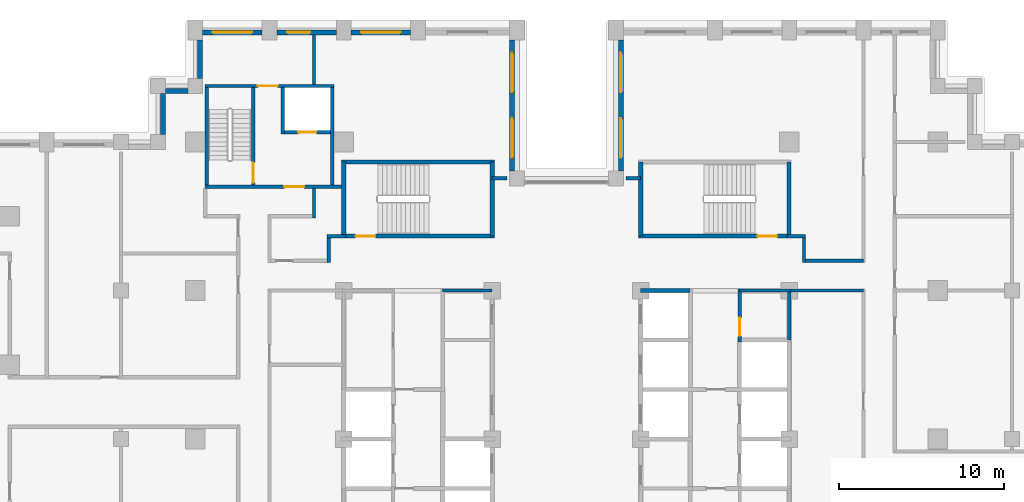
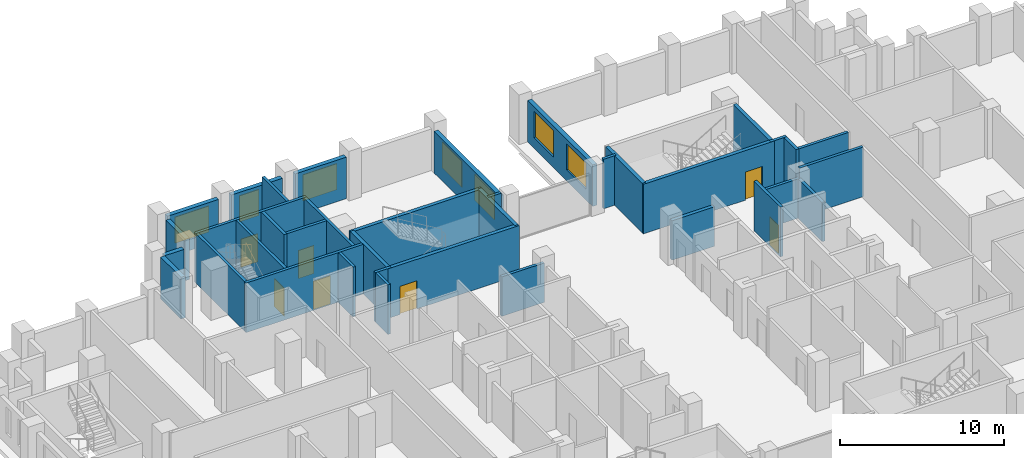
# One storey, part 10 of 15: 37 walls, 7 doors, 7 windows, 14 openings.
"""IFC4 building model written with IfcOpenShell, lengths in metres."""

from ifc_helpers import new_model, si_unit, direction, frame, frame_2d, origin, place, context, subcontext, project, spatial, rectangle, extrude, material, layer, layer_set, type_object, element, fill, save


model = new_model("IFC4")

# Units and contexts
model_context = context("Model", 3, precision=1e-05, world=origin(), true_north=direction((0.0, 1.0)))
body_context = subcontext(model_context, "Body", "Model", "MODEL_VIEW")
ifc_project = project(units=[si_unit("LENGTHUNIT", "METRE"), si_unit("AREAUNIT", "SQUARE_METRE"), si_unit("VOLUMEUNIT", "CUBIC_METRE"), si_unit("PLANEANGLEUNIT", "RADIAN"), si_unit("MASSUNIT", "GRAM", prefix="KILO")], contexts=[model_context])

# Site, building, storey
site_placement = place(None, origin())
site = spatial("IfcSite", under=ifc_project, at=site_placement, CompositionType="ELEMENT")
building_placement = place(site_placement, origin())
building = spatial("IfcBuilding", under=site, at=building_placement, Name="Corbelhall Arena Tower", CompositionType="ELEMENT")
storey_placement = place(building_placement, frame((0.0, 0.0, 100.0)))
storey = spatial("IfcBuildingStorey", under=building, at=storey_placement, Name="L17", CompositionType="ELEMENT", Elevation=100.0)

# Walls
ifc_material_1 = material(Name="Precast concrete C40/50 with granite facing", Category="masonry")
ifc_layer_1 = layer(ifc_material_1, 0.300048828125)
ifc_layer_set_1 = layer_set([ifc_layer_1], Name="EV-IW1 Infill panel 300")
wall_type_1 = type_object("IfcWallType", Name="EV-IW1 Infill panel 300", PredefinedType="SOLIDWALL", material=ifc_layer_set_1)
wall_1_placement = place(storey_placement, frame((-22.199951171875, 24.199951171875, 0.0), z_axis=(0.0, 0.0, 1.0), x_axis=(0.0, -1.0, 0.0)))
element("IfcWall", 1, at=wall_1_placement, inside=storey, type_object=wall_type_1, Name="Infill panel IW1", PredefinedType="SOLIDWALL", context=body_context, shape_type="SweptSolid", body=[
    extrude(rectangle(XDim=2.349853515625, YDim=0.300048828125, at=frame_2d((1.1748046875, 0.0))), origin(), (0.0, 0.0, 1.0), 3.10009765625),
])
wall_2_placement = place(storey_placement, frame((-22.949951171875, 21.10009765625, 0.0), z_axis=(0.0, 0.0, 1.0), x_axis=(-1.0, 0.0, 0.0)))
element("IfcWall", 2, at=wall_2_placement, inside=storey, type_object=wall_type_1, Name="Infill panel IW1", PredefinedType="SOLIDWALL", context=body_context, shape_type="SweptSolid", body=[
    extrude(rectangle(XDim=1.35009765625, YDim=0.300048828125, at=frame_2d((0.675048828125, 0.0))), origin(), (0.0, 0.0, 1.0), 3.10009765625),
])
wall_3_placement = place(storey_placement, frame((-24.449951171875, 20.949951171875, 0.0), z_axis=(0.0, 0.0, 1.0), x_axis=(0.0, -1.0, 0.0)))
element("IfcWall", 3, at=wall_3_placement, inside=storey, type_object=wall_type_1, Name="Infill panel IW1", PredefinedType="SOLIDWALL", context=body_context, shape_type="SweptSolid", body=[
    extrude(rectangle(XDim=2.5, YDim=0.300048828125, at=frame_2d((1.25, 0.0))), origin(), (0.0, 0.0, 1.0), 3.10009765625),
])

# Wall, openings, windows
wall_4_placement = place(storey_placement, frame((3.300048828125, 24.199951171875, 0.0), z_axis=(0.0, 0.0, 1.0), x_axis=(0.0, -1.0, 0.0)))
wall_4 = element("IfcWall", 4, at=wall_4_placement, inside=storey, type_object=wall_type_1, Name="Infill panel IW1", PredefinedType="SOLIDWALL", context=body_context, shape_type="SweptSolid", body=[
    extrude(rectangle(XDim=7.949951171875, YDim=0.300048828125, at=frame_2d((3.97509765625, 0.0))), origin(), (0.0, 0.0, 1.0), 3.10009765625),
])
opening_1_placement = place(wall_4_placement, frame((0.78759765625, 0.0, 0.800048828125)))
opening_1 = element("IfcOpeningElement", 5, at=opening_1_placement, cuts=wall_4, Name="Opening WN1", PredefinedType="OPENING", context=body_context, shape_type="SweptSolid", body=[
    extrude(rectangle(XDim=2.39990234375, YDim=1.949951171875, at=frame_2d((1.199951171875, 0.97509765625))), frame((0.0, 0.14990234375, 0.0), z_axis=(0.0, -1.0, 0.0), x_axis=(1.0, 0.0, 0.0)), (0.0, 0.0, 1.0), 0.300048828125),
])
opening_2_placement = place(wall_4_placement, frame((4.762451171875, 0.0, 0.800048828125)))
opening_2 = element("IfcOpeningElement", 6, at=opening_2_placement, cuts=wall_4, Name="Opening WN1", PredefinedType="OPENING", context=body_context, shape_type="SweptSolid", body=[
    extrude(rectangle(XDim=2.39990234375, YDim=1.949951171875, at=frame_2d((1.199951171875, 0.97509765625))), frame((0.0, 0.14990234375, 0.0), z_axis=(0.0, -1.0, 0.0), x_axis=(1.0, 0.0, 0.0)), (0.0, 0.0, 1.0), 0.300048828125),
])
ifc_material_2 = material(Name="Aluminium black anodised", Category="aluminium")
window_type_1 = type_object("IfcWindowType", Name="EV-WN1 Office window", PartitioningType="SINGLE_PANEL", PredefinedType="WINDOW", material=ifc_material_2)
window_1_placement = place(opening_1_placement, origin())
window_1 = element("IfcWindow", 7, at=window_1_placement, inside=storey, type_object=window_type_1, Name="Window WN1", OverallHeight=1.949951171875, OverallWidth=2.39990234375, PartitioningType="SINGLE_PANEL", PredefinedType="WINDOW", context=body_context, shape_type="SweptSolid", body=[
    extrude(rectangle(XDim=2.39990234375, YDim=1.949951171875, at=frame_2d((1.199951171875, 0.97509765625))), frame((0.0, 0.030029296875, 0.0), z_axis=(0.0, -1.0, 0.0), x_axis=(1.0, 0.0, 0.0)), (0.0, 0.0, 1.0), 0.06005859375),
])
fill(opening_1, window_1)
window_2_placement = place(opening_2_placement, origin())
window_2 = element("IfcWindow", 8, at=window_2_placement, inside=storey, type_object=window_type_1, Name="Window WN1", OverallHeight=1.949951171875, OverallWidth=2.39990234375, PartitioningType="SINGLE_PANEL", PredefinedType="WINDOW", context=body_context, shape_type="SweptSolid", body=[
    extrude(rectangle(XDim=2.39990234375, YDim=1.949951171875, at=frame_2d((1.199951171875, 0.97509765625))), frame((0.0, 0.030029296875, 0.0), z_axis=(0.0, -1.0, 0.0), x_axis=(1.0, 0.0, 0.0)), (0.0, 0.0, 1.0), 0.06005859375),
])
fill(opening_2, window_2)

wall_5_placement = place(storey_placement, frame((-3.300048828125, 16.25, 0.0), z_axis=(0.0, 0.0, 1.0), x_axis=(0.0, 1.0, 0.0)))
wall_5 = element("IfcWall", 9, at=wall_5_placement, inside=storey, type_object=wall_type_1, Name="Infill panel IW1", PredefinedType="SOLIDWALL", context=body_context, shape_type="SweptSolid", body=[
    extrude(rectangle(XDim=7.949951171875, YDim=0.300048828125, at=frame_2d((3.97509765625, 0.0))), origin(), (0.0, 0.0, 1.0), 3.10009765625),
])
opening_3_placement = place(wall_5_placement, frame((0.78759765625, 0.0, 0.800048828125)))
opening_3 = element("IfcOpeningElement", 10, at=opening_3_placement, cuts=wall_5, Name="Opening WN1", PredefinedType="OPENING", context=body_context, shape_type="SweptSolid", body=[
    extrude(rectangle(XDim=2.39990234375, YDim=1.949951171875, at=frame_2d((1.199951171875, 0.97509765625))), frame((0.0, 0.14990234375, 0.0), z_axis=(0.0, -1.0, 0.0), x_axis=(1.0, 0.0, 0.0)), (0.0, 0.0, 1.0), 0.300048828125),
])
opening_4_placement = place(wall_5_placement, frame((4.762451171875, 0.0, 0.800048828125)))
opening_4 = element("IfcOpeningElement", 11, at=opening_4_placement, cuts=wall_5, Name="Opening WN1", PredefinedType="OPENING", context=body_context, shape_type="SweptSolid", body=[
    extrude(rectangle(XDim=2.39990234375, YDim=1.949951171875, at=frame_2d((1.199951171875, 0.97509765625))), frame((0.0, 0.14990234375, 0.0), z_axis=(0.0, -1.0, 0.0), x_axis=(1.0, 0.0, 0.0)), (0.0, 0.0, 1.0), 0.300048828125),
])
window_3_placement = place(opening_3_placement, origin())
window_3 = element("IfcWindow", 12, at=window_3_placement, inside=storey, type_object=window_type_1, Name="Window WN1", OverallHeight=1.949951171875, OverallWidth=2.39990234375, PartitioningType="SINGLE_PANEL", PredefinedType="WINDOW", context=body_context, shape_type="SweptSolid", body=[
    extrude(rectangle(XDim=2.39990234375, YDim=1.949951171875, at=frame_2d((1.199951171875, 0.97509765625))), frame((0.0, 0.030029296875, 0.0), z_axis=(0.0, -1.0, 0.0), x_axis=(1.0, 0.0, 0.0)), (0.0, 0.0, 1.0), 0.06005859375),
])
fill(opening_3, window_3)
window_4_placement = place(opening_4_placement, origin())
window_4 = element("IfcWindow", 13, at=window_4_placement, inside=storey, type_object=window_type_1, Name="Window WN1", OverallHeight=1.949951171875, OverallWidth=2.39990234375, PartitioningType="SINGLE_PANEL", PredefinedType="WINDOW", context=body_context, shape_type="SweptSolid", body=[
    extrude(rectangle(XDim=2.39990234375, YDim=1.949951171875, at=frame_2d((1.199951171875, 0.97509765625))), frame((0.0, 0.030029296875, 0.0), z_axis=(0.0, -1.0, 0.0), x_axis=(1.0, 0.0, 0.0)), (0.0, 0.0, 1.0), 0.06005859375),
])
fill(opening_4, window_4)

# Wall, opening, window
wall_6_placement = place(storey_placement, frame((-9.449951171875, 24.64990234375, 0.0), z_axis=(0.0, 0.0, 1.0), x_axis=(-1.0, 0.0, 0.0)))
wall_6 = element("IfcWall", 14, at=wall_6_placement, inside=storey, type_object=wall_type_1, Name="Infill panel IW1", PredefinedType="SOLIDWALL", context=body_context, shape_type="SweptSolid", body=[
    extrude(rectangle(XDim=3.60009765625, YDim=0.300048828125, at=frame_2d((1.800048828125, 0.0))), origin(), (0.0, 0.0, 1.0), 3.10009765625),
])
opening_5_placement = place(wall_6_placement, frame((0.60009765625, 0.0, 0.800048828125)))
opening_5 = element("IfcOpeningElement", 15, at=opening_5_placement, cuts=wall_6, Name="Opening WN1", PredefinedType="OPENING", context=body_context, shape_type="SweptSolid", body=[
    extrude(rectangle(XDim=2.39990234375, YDim=1.949951171875, at=frame_2d((1.199951171875, 0.97509765625))), frame((0.0, 0.14990234375, 0.0), z_axis=(0.0, -1.0, 0.0), x_axis=(1.0, 0.0, 0.0)), (0.0, 0.0, 1.0), 0.300048828125),
])
window_5_placement = place(opening_5_placement, origin())
window_5 = element("IfcWindow", 16, at=window_5_placement, inside=storey, type_object=window_type_1, Name="Window WN1", OverallHeight=1.949951171875, OverallWidth=2.39990234375, PartitioningType="SINGLE_PANEL", PredefinedType="WINDOW", context=body_context, shape_type="SweptSolid", body=[
    extrude(rectangle(XDim=2.39990234375, YDim=1.949951171875, at=frame_2d((1.199951171875, 0.97509765625))), frame((0.0, 0.030029296875, 0.0), z_axis=(0.0, -1.0, 0.0), x_axis=(1.0, 0.0, 0.0)), (0.0, 0.0, 1.0), 0.06005859375),
])
fill(opening_5, window_5)

wall_7_placement = place(storey_placement, frame((-13.949951171875, 24.64990234375, 0.0), z_axis=(0.0, 0.0, 1.0), x_axis=(-1.0, 0.0, 0.0)))
wall_7 = element("IfcWall", 17, at=wall_7_placement, inside=storey, type_object=wall_type_1, Name="Infill panel IW1", PredefinedType="SOLIDWALL", context=body_context, shape_type="SweptSolid", body=[
    extrude(rectangle(XDim=3.60009765625, YDim=0.300048828125, at=frame_2d((1.800048828125, 0.0))), origin(), (0.0, 0.0, 1.0), 3.10009765625),
])
opening_6_placement = place(wall_7_placement, frame((1.574951171875, 0.0, 0.800048828125)))
opening_6 = element("IfcOpeningElement", 18, at=opening_6_placement, cuts=wall_7, Name="Opening WN7", PredefinedType="OPENING", context=body_context, shape_type="SweptSolid", body=[
    extrude(rectangle(XDim=1.39990234375, YDim=1.949951171875, at=frame_2d((0.699951171875, 0.97509765625))), frame((0.0, 0.14990234375, 0.0), z_axis=(0.0, -1.0, 0.0), x_axis=(1.0, 0.0, 0.0)), (0.0, 0.0, 1.0), 0.300048828125),
])
window_type_2 = type_object("IfcWindowType", Name="EV-WN7 Office window 1400", PartitioningType="SINGLE_PANEL", PredefinedType="WINDOW", material=ifc_material_2)
window_6_placement = place(opening_6_placement, origin())
window_6 = element("IfcWindow", 19, at=window_6_placement, inside=storey, type_object=window_type_2, Name="Window WN7", OverallHeight=1.949951171875, OverallWidth=1.39990234375, PartitioningType="SINGLE_PANEL", PredefinedType="WINDOW", context=body_context, shape_type="SweptSolid", body=[
    extrude(rectangle(XDim=1.39990234375, YDim=1.949951171875, at=frame_2d((0.699951171875, 0.97509765625))), frame((0.0, 0.030029296875, 0.0), z_axis=(0.0, -1.0, 0.0), x_axis=(1.0, 0.0, 0.0)), (0.0, 0.0, 1.0), 0.06005859375),
])
fill(opening_6, window_6)

wall_8_placement = place(storey_placement, frame((-18.449951171875, 24.64990234375, 0.0), z_axis=(0.0, 0.0, 1.0), x_axis=(-1.0, 0.0, 0.0)))
wall_8 = element("IfcWall", 20, at=wall_8_placement, inside=storey, type_object=wall_type_1, Name="Infill panel IW1", PredefinedType="SOLIDWALL", context=body_context, shape_type="SweptSolid", body=[
    extrude(rectangle(XDim=3.60009765625, YDim=0.300048828125, at=frame_2d((1.800048828125, 0.0))), origin(), (0.0, 0.0, 1.0), 3.10009765625),
])
opening_7_placement = place(wall_8_placement, frame((0.60009765625, 0.0, 0.800048828125)))
opening_7 = element("IfcOpeningElement", 21, at=opening_7_placement, cuts=wall_8, Name="Opening WN1", PredefinedType="OPENING", context=body_context, shape_type="SweptSolid", body=[
    extrude(rectangle(XDim=2.39990234375, YDim=1.949951171875, at=frame_2d((1.199951171875, 0.97509765625))), frame((0.0, 0.14990234375, 0.0), z_axis=(0.0, -1.0, 0.0), x_axis=(1.0, 0.0, 0.0)), (0.0, 0.0, 1.0), 0.300048828125),
])
window_7_placement = place(opening_7_placement, origin())
window_7 = element("IfcWindow", 22, at=window_7_placement, inside=storey, type_object=window_type_1, Name="Window WN1", OverallHeight=1.949951171875, OverallWidth=2.39990234375, PartitioningType="SINGLE_PANEL", PredefinedType="WINDOW", context=body_context, shape_type="SweptSolid", body=[
    extrude(rectangle(XDim=2.39990234375, YDim=1.949951171875, at=frame_2d((1.199951171875, 0.97509765625))), frame((0.0, 0.030029296875, 0.0), z_axis=(0.0, -1.0, 0.0), x_axis=(1.0, 0.0, 0.0)), (0.0, 0.0, 1.0), 0.06005859375),
])
fill(opening_7, window_7)

# Walls
ifc_material_3 = material(Name="Gypsum board on steel stud, acoustic", Category="steel")
ifc_layer_2 = layer(ifc_material_3, 0.199951171875)
ifc_layer_set_2 = layer_set([ifc_layer_2], Name="IN-W-DM200")
wall_type_2 = type_object("IfcWallType", Name="IN-W-DM200", PredefinedType="PARTITIONING", material=ifc_layer_set_2)
wall_9_placement = place(storey_placement, frame((-15.300048828125, 15.199951171875, 0.0), z_axis=(0.0, 0.0, 1.0), x_axis=(0.0, -1.0, 0.0)))
element("IfcWall", 23, at=wall_9_placement, inside=storey, type_object=wall_type_2, Name="Partition 024", PredefinedType="PARTITIONING", context=body_context, shape_type="SweptSolid", body=[
    extrude(rectangle(XDim=1.800048828125, YDim=0.199951171875, at=frame_2d((0.89990234375, 0.0))), origin(), (0.0, 0.0, 1.0), 3.699951171875),
])
wall_10_placement = place(storey_placement, frame((-15.300048828125, 24.5, 0.0), z_axis=(0.0, 0.0, 1.0), x_axis=(0.0, -1.0, 0.0)))
element("IfcWall", 24, at=wall_10_placement, inside=storey, type_object=wall_type_2, Name="Partition 025", PredefinedType="PARTITIONING", context=body_context, shape_type="SweptSolid", body=[
    extrude(rectangle(XDim=3.0, YDim=0.199951171875, at=frame_2d((1.5, 0.0))), origin(), (0.0, 0.0, 1.0), 3.699951171875),
])
wall_11_placement = place(storey_placement, frame((-14.5, 12.300048828125, 0.0), z_axis=(0.0, 0.0, 1.0), x_axis=(1.0, 0.0, 0.0)))
element("IfcWall", 25, at=wall_11_placement, inside=storey, type_object=wall_type_2, Name="Partition 026", PredefinedType="PARTITIONING", context=body_context, shape_type="SweptSolid", body=[
    extrude(rectangle(XDim=1.125, YDim=0.199951171875, at=frame_2d((0.5625, 0.0))), origin(), (0.0, 0.0, 1.0), 3.699951171875),
])
wall_12_placement = place(storey_placement, frame((-14.39990234375, 10.699951171875, 0.0), z_axis=(0.0, 0.0, 1.0), x_axis=(0.0, 1.0, 0.0)))
element("IfcWall", 26, at=wall_12_placement, inside=storey, type_object=wall_type_2, Name="Partition 030", PredefinedType="PARTITIONING", context=body_context, shape_type="SweptSolid", body=[
    extrude(rectangle(XDim=1.60009765625, YDim=0.199951171875, at=frame_2d((0.800048828125, 0.0))), origin(), (0.0, 0.0, 1.0), 3.699951171875),
])
for number, where, z_axis, x_axis, name in (
    (27, (-4.5, 15.800048828125, 0.0), (0.0, 0.0, 1.0), (1.0, 0.0, 0.0), "Partition 032"),
    (28, (3.60009765625, 15.800048828125, 0.0), (0.0, 0.0, 1.0), (1.0, 0.0, 0.0), "Partition 034"),
):
    element("IfcWall", number, at=place(storey_placement, frame(where, z_axis=z_axis, x_axis=x_axis)), inside=storey, type_object=wall_type_2, Name=name, PredefinedType="PARTITIONING", context=body_context, shape_type="SweptSolid", body=[
        extrude(rectangle(XDim=0.89990234375, YDim=0.199951171875, at=frame_2d((0.449951171875, 0.0))), origin(), (0.0, 0.0, 1.0), 3.699951171875),
    ])
wall_13_placement = place(storey_placement, frame((13.375, 12.300048828125, 0.0), z_axis=(0.0, 0.0, 1.0), x_axis=(1.0, 0.0, 0.0)))
element("IfcWall", 29, at=wall_13_placement, inside=storey, type_object=wall_type_2, Name="Partition 036", PredefinedType="PARTITIONING", context=body_context, shape_type="SweptSolid", body=[
    extrude(rectangle(XDim=1.125, YDim=0.199951171875, at=frame_2d((0.5625, 0.0))), origin(), (0.0, 0.0, 1.0), 3.699951171875),
])
wall_14_placement = place(storey_placement, frame((18.0, 9.0, 0.0), z_axis=(0.0, 0.0, 1.0), x_axis=(-1.0, 0.0, 0.0)))
element("IfcWall", 30, at=wall_14_placement, inside=storey, type_object=wall_type_2, Name="Partition 041", PredefinedType="PARTITIONING", context=body_context, shape_type="SweptSolid", body=[
    extrude(rectangle(XDim=4.5, YDim=0.199951171875, at=frame_2d((2.25, 0.0))), origin(), (0.0, 0.0, 1.0), 3.699951171875),
])
wall_15_placement = place(storey_placement, frame((14.39990234375, 10.800048828125, 0.0), z_axis=(0.0, 0.0, 1.0), x_axis=(1.0, 0.0, 0.0)))
element("IfcWall", 31, at=wall_15_placement, inside=storey, type_object=wall_type_2, Name="Partition 042", PredefinedType="PARTITIONING", context=body_context, shape_type="SweptSolid", body=[
    extrude(rectangle(XDim=3.60009765625, YDim=0.199951171875, at=frame_2d((1.800048828125, 0.0))), origin(), (0.0, 0.0, 1.0), 3.699951171875),
])
wall_16_placement = place(storey_placement, frame((14.39990234375, 12.300048828125, 0.0), z_axis=(0.0, 0.0, 1.0), x_axis=(0.0, -1.0, 0.0)))
element("IfcWall", 32, at=wall_16_placement, inside=storey, type_object=wall_type_2, Name="Partition 043", PredefinedType="PARTITIONING", context=body_context, shape_type="SweptSolid", body=[
    extrude(rectangle(XDim=1.60009765625, YDim=0.199951171875, at=frame_2d((0.800048828125, 0.0))), origin(), (0.0, 0.0, 1.0), 3.699951171875),
])

# Wall, opening, door
ifc_material_4 = material(Name="Concrete C40/50", Category="concrete")
ifc_layer_3 = layer(ifc_material_4, 0.199951171875)
ifc_layer_set_3 = layer_set([ifc_layer_3], Name="IN-W-EAR200")
wall_type_3 = type_object("IfcWallType", Name="IN-W-EAR200", PredefinedType="SOLIDWALL", material=ifc_layer_set_3)
wall_17_placement = place(storey_placement, frame((-21.89990234375, 15.300048828125, 0.0), z_axis=(0.0, 0.0, 1.0), x_axis=(1.0, 0.0, 0.0)))
wall_17 = element("IfcWall", 33, at=wall_17_placement, inside=storey, type_object=wall_type_3, Name="Fire service turret wall south", PredefinedType="SOLIDWALL", context=body_context, shape_type="SweptSolid", body=[
    extrude(rectangle(XDim=8.27490234375, YDim=0.199951171875, at=frame_2d((4.137451171875, 0.0))), origin(), (0.0, 0.0, 1.0), 3.699951171875),
])
opening_8_placement = place(wall_17_placement, frame((4.800048828125, 0.0, 0.0)))
opening_8 = element("IfcOpeningElement", 34, at=opening_8_placement, cuts=wall_17, Name="Opening E032", PredefinedType="OPENING", context=body_context, shape_type="SweptSolid", body=[
    extrude(rectangle(XDim=1.199951171875, YDim=2.10009765625, at=frame_2d((0.60009765625, 1.050048828125))), frame((0.0, 0.10009765625, 0.0), z_axis=(0.0, -1.0, 0.0), x_axis=(1.0, 0.0, 0.0)), (0.0, 0.0, 1.0), 0.199951171875),
])
ifc_material_5 = material(Name="Steel door set", Category="steel")
door_type_1 = type_object("IfcDoorType", Name="IN-D-ST120", OperationType="NOTDEFINED", PredefinedType="DOOR", material=ifc_material_5)
door_1_placement = place(opening_8_placement, origin())
door_1 = element("IfcDoor", 35, at=door_1_placement, inside=storey, type_object=door_type_1, Name="Door from fire service lift lobby to circulation", OperationType="SINGLE_SWING_RIGHT", OverallHeight=2.10009765625, OverallWidth=1.199951171875, PredefinedType="DOOR", context=body_context, shape_type="SweptSolid", body=[
    extrude(rectangle(XDim=1.199951171875, YDim=2.10009765625, at=frame_2d((0.60009765625, 1.050048828125))), frame((0.0, 0.02490234375, 0.0), z_axis=(0.0, -1.0, 0.0), x_axis=(1.0, 0.0, 0.0)), (0.0, 0.0, 1.0), 0.050048828125),
])
fill(opening_8, door_1)

wall_18_placement = place(storey_placement, frame((-21.89990234375, 21.39990234375, 0.0), z_axis=(0.0, 0.0, 1.0), x_axis=(1.0, 0.0, 0.0)))
wall_18 = element("IfcWall", 36, at=wall_18_placement, inside=storey, type_object=wall_type_3, Name="Fire service turret wall north", PredefinedType="SOLIDWALL", context=body_context, shape_type="SweptSolid", body=[
    extrude(rectangle(XDim=7.7998046875, YDim=0.199951171875, at=frame_2d((3.89990234375, 0.0))), origin(), (0.0, 0.0, 1.0), 3.699951171875),
])
opening_9_placement = place(wall_18_placement, frame((3.199951171875, 0.0, 0.0)))
opening_9 = element("IfcOpeningElement", 37, at=opening_9_placement, cuts=wall_18, Name="Opening E033", PredefinedType="OPENING", context=body_context, shape_type="SweptSolid", body=[
    extrude(rectangle(XDim=1.199951171875, YDim=2.10009765625, at=frame_2d((0.60009765625, 1.050048828125))), frame((0.0, 0.10009765625, 0.0), z_axis=(0.0, -1.0, 0.0), x_axis=(1.0, 0.0, 0.0)), (0.0, 0.0, 1.0), 0.199951171875),
])
door_2_placement = place(opening_9_placement, origin())
door_2 = element("IfcDoor", 38, at=door_2_placement, inside=storey, type_object=door_type_1, Name="Door from fire service lift lobby to the north gallery", OperationType="SINGLE_SWING_LEFT", OverallHeight=2.10009765625, OverallWidth=1.199951171875, PredefinedType="DOOR", context=body_context, shape_type="SweptSolid", body=[
    extrude(rectangle(XDim=1.199951171875, YDim=2.10009765625, at=frame_2d((0.60009765625, 1.050048828125))), frame((0.0, 0.02490234375, 0.0), z_axis=(0.0, -1.0, 0.0), x_axis=(1.0, 0.0, 0.0)), (0.0, 0.0, 1.0), 0.050048828125),
])
fill(opening_9, door_2)

# Walls
for number, where, z_axis, x_axis, name in (
    (39, (-21.800048828125, 15.39990234375, 0.0), (0.0, 0.0, 1.0), (0.0, 1.0, 0.0), "Fire service turret wall west"),
    (40, (-14.199951171875, 15.39990234375, 0.0), (0.0, 0.0, 1.0), (0.0, 1.0, 0.0), "Fire service turret wall east"),
):
    element("IfcWall", number, at=place(storey_placement, frame(where, z_axis=z_axis, x_axis=x_axis)), inside=storey, type_object=wall_type_3, Name=name, PredefinedType="SOLIDWALL", context=body_context, shape_type="SweptSolid", body=[
        extrude(rectangle(XDim=5.900146484375, YDim=0.199951171875, at=frame_2d((2.9501953125, 0.0))), origin(), (0.0, 0.0, 1.0), 3.699951171875),
    ])

# Wall, opening, door
wall_19_placement = place(storey_placement, frame((-18.989990234375, 15.39990234375, 0.0), z_axis=(0.0, 0.0, 1.0), x_axis=(0.0, 1.0, 0.0)))
wall_19 = element("IfcWall", 41, at=wall_19_placement, inside=storey, type_object=wall_type_3, Name="Fire service turret wall stair", PredefinedType="SOLIDWALL", context=body_context, shape_type="SweptSolid", body=[
    extrude(rectangle(XDim=5.900146484375, YDim=0.199951171875, at=frame_2d((2.9501953125, 0.0))), origin(), (0.0, 0.0, 1.0), 3.699951171875),
])
opening_10_placement = place(wall_19_placement, frame((0.14990234375, 0.0, 0.0)))
opening_10 = element("IfcOpeningElement", 42, at=opening_10_placement, cuts=wall_19, Name="Opening E031", PredefinedType="OPENING", context=body_context, shape_type="SweptSolid", body=[
    extrude(rectangle(XDim=1.199951171875, YDim=2.10009765625, at=frame_2d((0.60009765625, 1.050048828125))), frame((0.0, 0.10009765625, 0.0), z_axis=(0.0, -1.0, 0.0), x_axis=(1.0, 0.0, 0.0)), (0.0, 0.0, 1.0), 0.199951171875),
])
door_3_placement = place(opening_10_placement, origin())
door_3 = element("IfcDoor", 43, at=door_3_placement, inside=storey, type_object=door_type_1, Name="Stair door to fire service lobby", OperationType="SINGLE_SWING_LEFT", OverallHeight=2.10009765625, OverallWidth=1.199951171875, PredefinedType="DOOR", context=body_context, shape_type="SweptSolid", body=[
    extrude(rectangle(XDim=1.199951171875, YDim=2.10009765625, at=frame_2d((0.60009765625, 1.050048828125))), frame((0.0, 0.02490234375, 0.0), z_axis=(0.0, -1.0, 0.0), x_axis=(1.0, 0.0, 0.0)), (0.0, 0.0, 1.0), 0.050048828125),
])
fill(opening_10, door_3)

# Wall
wall_20_placement = place(storey_placement, frame((-17.199951171875, 18.5, 0.0), z_axis=(0.0, 0.0, 1.0), x_axis=(0.0, 1.0, 0.0)))
element("IfcWall", 44, at=wall_20_placement, inside=storey, type_object=wall_type_3, Name="Fire service turret wall hoistway west", PredefinedType="SOLIDWALL", context=body_context, shape_type="SweptSolid", body=[
    extrude(rectangle(XDim=2.800048828125, YDim=0.199951171875, at=frame_2d((1.39990234375, 0.0))), origin(), (0.0, 0.0, 1.0), 3.699951171875),
])

# Wall, opening, door
wall_21_placement = place(storey_placement, frame((-17.10009765625, 18.60009765625, 0.0), z_axis=(0.0, 0.0, 1.0), x_axis=(1.0, 0.0, 0.0)))
wall_21 = element("IfcWall", 45, at=wall_21_placement, inside=storey, type_object=wall_type_3, Name="Fire service turret wall hoistway south", PredefinedType="SOLIDWALL", context=body_context, shape_type="SweptSolid", body=[
    extrude(rectangle(XDim=2.800048828125, YDim=0.199951171875, at=frame_2d((1.39990234375, 0.0))), origin(), (0.0, 0.0, 1.0), 3.699951171875),
])
opening_11_placement = place(wall_21_placement, frame((0.85009765625, 0.0, 0.0)))
opening_11 = element("IfcOpeningElement", 46, at=opening_11_placement, cuts=wall_21, Name="Opening LD", PredefinedType="OPENING", context=body_context, shape_type="SweptSolid", body=[
    extrude(rectangle(XDim=1.10009765625, YDim=2.10009765625, at=frame_2d((0.550048828125, 1.050048828125))), frame((0.0, 0.10009765625, 0.0), z_axis=(0.0, -1.0, 0.0), x_axis=(1.0, 0.0, 0.0)), (0.0, 0.0, 1.0), 0.199951171875),
])
door_type_2 = type_object("IfcDoorType", Name="IN-D-LD110", OperationType="NOTDEFINED", PredefinedType="DOOR", material=ifc_material_5)
door_4_placement = place(opening_11_placement, origin())
door_4 = element("IfcDoor", 47, at=door_4_placement, inside=storey, type_object=door_type_2, Name="Landing door FS1", OperationType="SLIDING_TO_LEFT", OverallHeight=2.10009765625, OverallWidth=1.10009765625, PredefinedType="DOOR", context=body_context, shape_type="SweptSolid", body=[
    extrude(rectangle(XDim=1.10009765625, YDim=2.10009765625, at=frame_2d((0.550048828125, 1.050048828125))), frame((0.0, 0.02490234375, 0.0), z_axis=(0.0, -1.0, 0.0), x_axis=(1.0, 0.0, 0.0)), (0.0, 0.0, 1.0), 0.050048828125),
])
fill(opening_11, door_4)

ifc_material_6 = material(Name="Concrete block wall", Category="concrete")
ifc_layer_4 = layer(ifc_material_6, 0.199951171875)
ifc_layer_set_4 = layer_set([ifc_layer_4], Name="IN-W-RS200")
wall_type_4 = type_object("IfcWallType", Name="IN-W-RS200", PredefinedType="SOLIDWALL", material=ifc_layer_set_4)
wall_22_placement = place(storey_placement, frame((10.5, 9.10009765625, 0.0), z_axis=(0.0, 0.0, 1.0), x_axis=(0.0, -1.0, 0.0)))
wall_22 = element("IfcWall", 48, at=wall_22_placement, inside=storey, type_object=wall_type_4, Name="Partition 072", PredefinedType="SOLIDWALL", context=body_context, shape_type="SweptSolid", body=[
    extrude(rectangle(XDim=3.22509765625, YDim=0.199951171875, at=frame_2d((1.612548828125, 0.0))), origin(), (0.0, 0.0, 1.0), 3.699951171875),
])
opening_12_placement = place(wall_22_placement, frame((1.75, 0.0, 0.0)))
opening_12 = element("IfcOpeningElement", 49, at=opening_12_placement, cuts=wall_22, Name="Opening 03012", PredefinedType="OPENING", context=body_context, shape_type="SweptSolid", body=[
    extrude(rectangle(XDim=1.10009765625, YDim=2.10009765625, at=frame_2d((0.550048828125, 1.050048828125))), frame((0.0, 0.10009765625, 0.0), z_axis=(0.0, -1.0, 0.0), x_axis=(1.0, 0.0, 0.0)), (0.0, 0.0, 1.0), 0.199951171875),
])
door_type_3 = type_object("IfcDoorType", Name="IN-D-FD110", OperationType="NOTDEFINED", PredefinedType="DOOR", material=ifc_material_5)
door_5_placement = place(opening_12_placement, origin())
door_5 = element("IfcDoor", 50, at=door_5_placement, inside=storey, type_object=door_type_3, Name="Door 012", OperationType="SINGLE_SWING_LEFT", OverallHeight=2.10009765625, OverallWidth=1.10009765625, PredefinedType="DOOR", context=body_context, shape_type="SweptSolid", body=[
    extrude(rectangle(XDim=1.10009765625, YDim=2.10009765625, at=frame_2d((0.550048828125, 1.050048828125))), frame((0.0, 0.02490234375, 0.0), z_axis=(0.0, -1.0, 0.0), x_axis=(1.0, 0.0, 0.0)), (0.0, 0.0, 1.0), 0.050048828125),
])
fill(opening_12, door_5)

# Walls
ifc_layer_5 = layer(ifc_material_6, 0.199951171875)
ifc_layer_set_5 = layer_set([ifc_layer_5], Name="IN-W-RS200 under beam 762 mm")
wall_type_5 = type_object("IfcWallType", Name="IN-W-RS200 under beam 762 mm", PredefinedType="SOLIDWALL", material=ifc_layer_set_5)
wall_23_placement = place(storey_placement, frame((-7.5, 9.0, 0.0), z_axis=(0.0, 0.0, 1.0), x_axis=(1.0, 0.0, 0.0)))
element("IfcWall", 51, at=wall_23_placement, inside=storey, type_object=wall_type_5, Name="Partition 065", PredefinedType="SOLIDWALL", context=body_context, shape_type="SweptSolid", body=[
    extrude(rectangle(XDim=3.0, YDim=0.199951171875, at=frame_2d((1.5, 0.0))), origin(), (0.0, 0.0, 1.0), 2.93798828125),
])
for number, where, z_axis, x_axis, name in (
    (52, (10.5, 9.0, 0.0), (0.0, 0.0, 1.0), (1.0, 0.0, 0.0), "Partition 071"),
    (53, (13.5, 9.10009765625, 0.0), (0.0, 0.0, 1.0), (0.0, -1.0, 0.0), "Partition 073"),
):
    element("IfcWall", number, at=place(storey_placement, frame(where, z_axis=z_axis, x_axis=x_axis)), inside=storey, type_object=wall_type_5, Name=name, PredefinedType="SOLIDWALL", context=body_context, shape_type="SweptSolid", body=[
        extrude(rectangle(XDim=3.10009765625, YDim=0.199951171875, at=frame_2d((1.550048828125, 0.0))), origin(), (0.0, 0.0, 1.0), 2.93798828125),
    ])
ifc_layer_6 = layer(ifc_material_4, 0.25)
ifc_layer_set_6 = layer_set([ifc_layer_6], Name="IN-W-SH250 under beam 762 mm")
wall_type_6 = type_object("IfcWallType", Name="IN-W-SH250 under beam 762 mm", PredefinedType="SOLIDWALL", material=ifc_layer_set_6)
wall_24_placement = place(storey_placement, frame((4.5, 9.0, 0.0), z_axis=(0.0, 0.0, 1.0), x_axis=(1.0, 0.0, 0.0)))
element("IfcWall", 54, at=wall_24_placement, inside=storey, type_object=wall_type_6, Name="Shaft wall 088", PredefinedType="SOLIDWALL", context=body_context, shape_type="SweptSolid", body=[
    extrude(rectangle(XDim=3.0, YDim=0.25, at=frame_2d((1.5, 0.0))), origin(), (0.0, 0.0, 1.0), 2.93798828125),
])

# Wall, opening, door
ifc_layer_7 = layer(ifc_material_4, 0.25)
ifc_layer_set_7 = layer_set([ifc_layer_7], Name="IN-W-ST250")
wall_type_7 = type_object("IfcWallType", Name="IN-W-ST250", PredefinedType="SOLIDWALL", material=ifc_layer_set_7)
wall_25_placement = place(storey_placement, frame((-13.625, 12.300048828125, 0.0), z_axis=(0.0, 0.0, 1.0), x_axis=(1.0, 0.0, 0.0)))
wall_25 = element("IfcWall", 55, at=wall_25_placement, inside=storey, type_object=wall_type_7, Name="Shaft wall 101", PredefinedType="SOLIDWALL", context=body_context, shape_type="SweptSolid", body=[
    extrude(rectangle(XDim=9.25, YDim=0.25, at=frame_2d((4.625, 0.0))), origin(), (0.0, 0.0, 1.0), 3.699951171875),
])
opening_13_placement = place(wall_25_placement, frame((0.85009765625, 0.0, 0.0)))
opening_13 = element("IfcOpeningElement", 56, at=opening_13_placement, cuts=wall_25, Name="Opening 03013", PredefinedType="OPENING", context=body_context, shape_type="SweptSolid", body=[
    extrude(rectangle(XDim=1.199951171875, YDim=2.10009765625, at=frame_2d((0.60009765625, 1.050048828125))), frame((0.0, 0.125, 0.0), z_axis=(0.0, -1.0, 0.0), x_axis=(1.0, 0.0, 0.0)), (0.0, 0.0, 1.0), 0.25),
])
door_6_placement = place(opening_13_placement, origin())
door_6 = element("IfcDoor", 57, at=door_6_placement, inside=storey, type_object=door_type_1, Name="Door 013", OperationType="SINGLE_SWING_RIGHT", OverallHeight=2.10009765625, OverallWidth=1.199951171875, PredefinedType="DOOR", context=body_context, shape_type="SweptSolid", body=[
    extrude(rectangle(XDim=1.199951171875, YDim=2.10009765625, at=frame_2d((0.60009765625, 1.050048828125))), frame((0.0, 0.02490234375, 0.0), z_axis=(0.0, -1.0, 0.0), x_axis=(1.0, 0.0, 0.0)), (0.0, 0.0, 1.0), 0.050048828125),
])
fill(opening_13, door_6)

# Walls
wall_26_placement = place(storey_placement, frame((-13.625, 16.800048828125, 0.0), z_axis=(0.0, 0.0, 1.0), x_axis=(1.0, 0.0, 0.0)))
element("IfcWall", 58, at=wall_26_placement, inside=storey, type_object=wall_type_7, Name="Shaft wall 102", PredefinedType="SOLIDWALL", context=body_context, shape_type="SweptSolid", body=[
    extrude(rectangle(XDim=9.25, YDim=0.25, at=frame_2d((4.625, 0.0))), origin(), (0.0, 0.0, 1.0), 3.699951171875),
])
for number, where, z_axis, x_axis, name in (
    (59, (-13.5, 12.300048828125, 0.0), (0.0, 0.0, 1.0), (0.0, 1.0, 0.0), "Shaft wall 104"),
    (60, (-4.5, 16.800048828125, 0.0), (0.0, 0.0, 1.0), (0.0, -1.0, 0.0), "Shaft wall 107"),
):
    element("IfcWall", number, at=place(storey_placement, frame(where, z_axis=z_axis, x_axis=x_axis)), inside=storey, type_object=wall_type_7, Name=name, PredefinedType="SOLIDWALL", context=body_context, shape_type="SweptSolid", body=[
        extrude(rectangle(XDim=4.5, YDim=0.25, at=frame_2d((2.25, 0.0))), origin(), (0.0, 0.0, 1.0), 3.699951171875),
    ])

# Wall, opening, door
wall_27_placement = place(storey_placement, frame((4.375, 12.300048828125, 0.0), z_axis=(0.0, 0.0, 1.0), x_axis=(1.0, 0.0, 0.0)))
wall_27 = element("IfcWall", 61, at=wall_27_placement, inside=storey, type_object=wall_type_7, Name="Shaft wall 109", PredefinedType="SOLIDWALL", context=body_context, shape_type="SweptSolid", body=[
    extrude(rectangle(XDim=9.25, YDim=0.25, at=frame_2d((4.625, 0.0))), origin(), (0.0, 0.0, 1.0), 3.699951171875),
])
opening_14_placement = place(wall_27_placement, frame((7.199951171875, 0.0, 0.0)))
opening_14 = element("IfcOpeningElement", 62, at=opening_14_placement, cuts=wall_27, Name="Opening 03015", PredefinedType="OPENING", context=body_context, shape_type="SweptSolid", body=[
    extrude(rectangle(XDim=1.199951171875, YDim=2.10009765625, at=frame_2d((0.60009765625, 1.050048828125))), frame((0.0, 0.125, 0.0), z_axis=(0.0, -1.0, 0.0), x_axis=(1.0, 0.0, 0.0)), (0.0, 0.0, 1.0), 0.25),
])
door_7_placement = place(opening_14_placement, origin())
door_7 = element("IfcDoor", 63, at=door_7_placement, inside=storey, type_object=door_type_1, Name="Door 015", OperationType="SINGLE_SWING_RIGHT", OverallHeight=2.10009765625, OverallWidth=1.199951171875, PredefinedType="DOOR", context=body_context, shape_type="SweptSolid", body=[
    extrude(rectangle(XDim=1.199951171875, YDim=2.10009765625, at=frame_2d((0.60009765625, 1.050048828125))), frame((0.0, 0.02490234375, 0.0), z_axis=(0.0, -1.0, 0.0), x_axis=(1.0, 0.0, 0.0)), (0.0, 0.0, 1.0), 0.050048828125),
])
fill(opening_14, door_7)

# Walls
for number, where, z_axis, x_axis, name in (
    (64, (4.5, 12.300048828125, 0.0), (0.0, 0.0, 1.0), (0.0, 1.0, 0.0), "Shaft wall 112"),
    (65, (13.5, 16.800048828125, 0.0), (0.0, 0.0, 1.0), (0.0, -1.0, 0.0), "Shaft wall 115"),
):
    element("IfcWall", number, at=place(storey_placement, frame(where, z_axis=z_axis, x_axis=x_axis)), inside=storey, type_object=wall_type_7, Name=name, PredefinedType="SOLIDWALL", context=body_context, shape_type="SweptSolid", body=[
        extrude(rectangle(XDim=4.5, YDim=0.25, at=frame_2d((2.25, 0.0))), origin(), (0.0, 0.0, 1.0), 3.699951171875),
    ])

save(model, "model.ifc")
